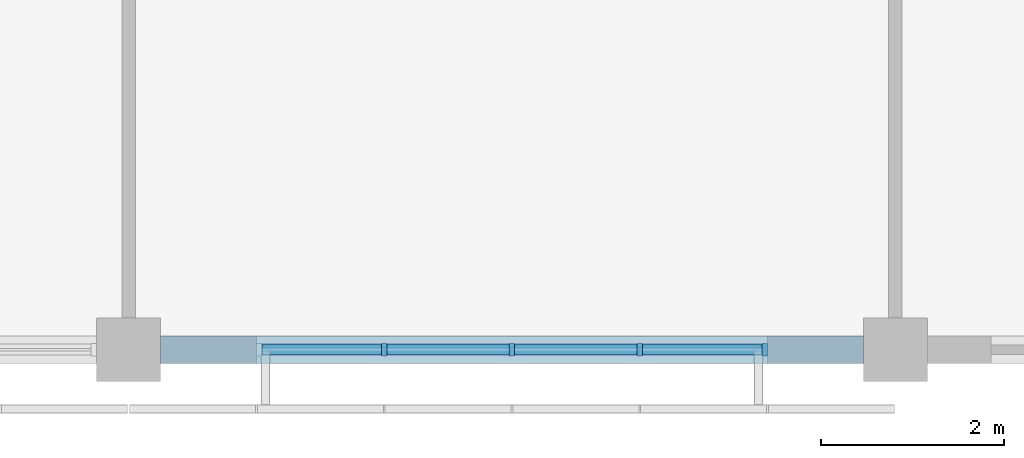
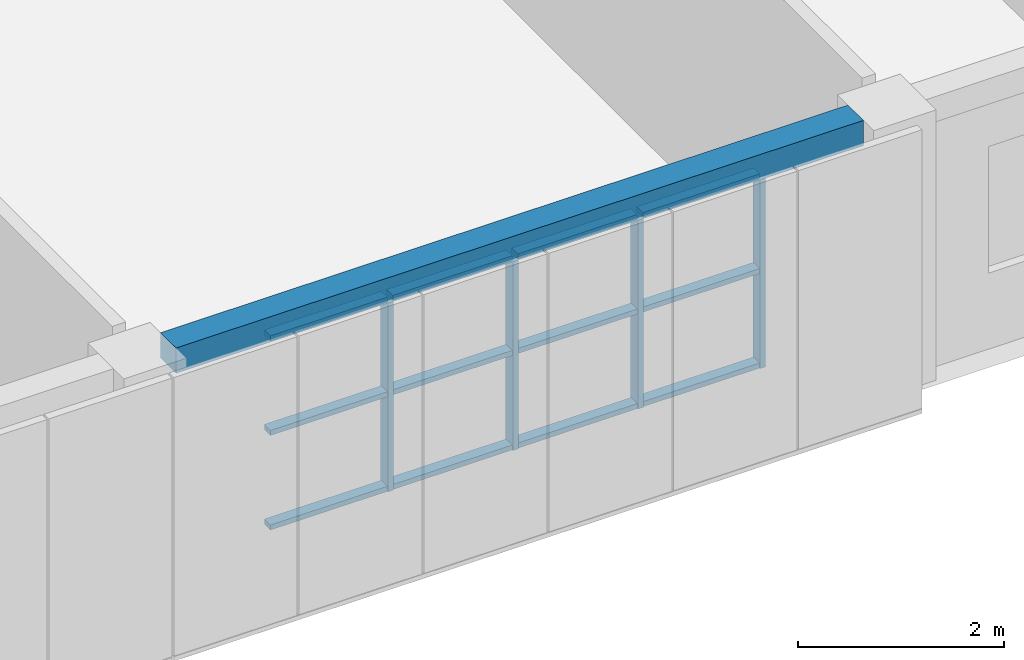
# One storey, part 18 of 48: 16 members, 1 beam, 1 element without a shape of its own.
"""IFC4 building model written with IfcOpenShell, lengths in metres."""

from ifc_helpers import new_model, si_unit, direction, frame, origin, origin_2d, place, context, subcontext, project, spatial, rectangle, extrude, material, material_profile, profile_set, type_object, element, aggregate, save


model = new_model("IFC4")

# Units and contexts
model_context = context("Model", 3, precision=1e-05, world=origin(), true_north=direction((0.0, 1.0)))
body_context = subcontext(model_context, "Body", "Model", "MODEL_VIEW")
ifc_project = project(units=[si_unit("LENGTHUNIT", "METRE"), si_unit("AREAUNIT", "SQUARE_METRE"), si_unit("VOLUMEUNIT", "CUBIC_METRE"), si_unit("PLANEANGLEUNIT", "RADIAN"), si_unit("MASSUNIT", "GRAM", prefix="KILO")], contexts=[model_context])

# Site, building, storey
site_placement = place(None, origin())
site = spatial("IfcSite", under=ifc_project, at=site_placement, CompositionType="ELEMENT")
building_placement = place(site_placement, origin())
building = spatial("IfcBuilding", under=site, at=building_placement, Name="Yavir Park General Hospital", CompositionType="ELEMENT")
storey_placement = place(building_placement, frame((0.0, 0.0, 26.10009765625)))
storey = spatial("IfcBuildingStorey", under=building, at=storey_placement, Name="L06", CompositionType="ELEMENT", Elevation=26.10009765625)

# Curtain wall, members
ifc_material_1 = material(Name="Aluminium curtain wall frame with insulated glazing", Category="aluminium")
curtain_wall_type = type_object("IfcCurtainWallType", Name="Day room pocket glazing, ward floors, 2300 high, 1400 module", PredefinedType="NOTDEFINED", material=ifc_material_1)
curtain_wall_placement = place(storey_placement, origin())
curtain_wall = element("IfcCurtainWall", 1, at=curtain_wall_placement, inside=storey, type_object=curtain_wall_type, Name="CW63 L06-009", PredefinedType="NOTDEFINED")
ifc_material_2 = material(Name="Aluminium", Category="aluminium")
ifc_material_profile_1 = material_profile(ifc_material_2, rectangle(XDim=0.139892578125, YDim=0.06005859375, at=origin_2d()), Name="AL 60x140")
ifc_profile_set_1 = profile_set([ifc_material_profile_1], Name="Aluminium")
member_type_1 = type_object("IfcMemberType", Name="Day room pocket glazing, ward floors, 2300 high mullion 60 x 140", PredefinedType="MULLION", material=ifc_profile_set_1)
member_1_placement = place(storey_placement, frame((154.0, 0.0, 0.599853515625), z_axis=(0.0, 0.0, 1.0), x_axis=(0.0, 1.0, 0.0)))
member_1 = element("IfcMember", 2, at=member_1_placement, type_object=member_type_1, Name="CW63 mullion 2", PredefinedType="MULLION", context=body_context, shape_type="SweptSolid", body=[
    extrude(rectangle(XDim=0.139892578125, YDim=0.06005859375, at=origin_2d()), origin(), (0.0, 0.0, 1.0), 2.300048828125),
])
member_2_placement = place(storey_placement, frame((155.39990234375, 0.0, 0.599853515625), z_axis=(0.0, 0.0, 1.0), x_axis=(0.0, 1.0, 0.0)))
member_2 = element("IfcMember", 3, at=member_2_placement, type_object=member_type_1, Name="CW63 mullion 3", PredefinedType="MULLION", context=body_context, shape_type="SweptSolid", body=[
    extrude(rectangle(XDim=0.139892578125, YDim=0.06005859375, at=origin_2d()), origin(), (0.0, 0.0, 1.0), 2.300048828125),
])
member_3_placement = place(storey_placement, frame((156.800048828125, 0.0, 0.599853515625), z_axis=(0.0, 0.0, 1.0), x_axis=(0.0, 1.0, 0.0)))
member_3 = element("IfcMember", 4, at=member_3_placement, type_object=member_type_1, Name="CW63 mullion 4", PredefinedType="MULLION", context=body_context, shape_type="SweptSolid", body=[
    extrude(rectangle(XDim=0.139892578125, YDim=0.06005859375, at=origin_2d()), origin(), (0.0, 0.0, 1.0), 2.300048828125),
])
member_4_placement = place(storey_placement, frame((158.169921875, 0.0, 0.599853515625), z_axis=(0.0, 0.0, 1.0), x_axis=(0.0, 1.0, 0.0)))
member_4 = element("IfcMember", 5, at=member_4_placement, type_object=member_type_1, Name="CW63 mullion 5", PredefinedType="MULLION", context=body_context, shape_type="SweptSolid", body=[
    extrude(rectangle(XDim=0.139892578125, YDim=0.06005859375, at=origin_2d()), origin(), (0.0, 0.0, 1.0), 2.300048828125),
])
ifc_material_3 = material(Name="Aluminium", Category="aluminium")
ifc_material_profile_2 = material_profile(ifc_material_3, rectangle(XDim=0.1201171875, YDim=0.06005859375, at=origin_2d()), Name="AL 120x60")
ifc_profile_set_2 = profile_set([ifc_material_profile_2], Name="Aluminium")
member_type_2 = type_object("IfcMemberType", Name="Day room pocket glazing, ward floors, 2300 high transom 60 x 120", PredefinedType="MULLION", material=ifc_profile_set_2)
member_5_placement = place(storey_placement, frame((152.659912109375, 0.0, 0.6298828125), z_axis=(1.0, 0.0, 0.0), x_axis=(0.0, 1.0, 0.0)))
member_5 = element("IfcMember", 6, at=member_5_placement, type_object=member_type_2, Name="CW63 transom 1.1", PredefinedType="MULLION", context=body_context, shape_type="SweptSolid", body=[
    extrude(rectangle(XDim=0.1201171875, YDim=0.06005859375, at=origin_2d()), origin(), (0.0, 0.0, 1.0), 1.31005859375),
])
member_6_placement = place(storey_placement, frame((152.659912109375, 0.0, 1.75), z_axis=(1.0, 0.0, 0.0), x_axis=(0.0, 1.0, 0.0)))
member_6 = element("IfcMember", 7, at=member_6_placement, type_object=member_type_2, Name="CW63 transom 1.2", PredefinedType="MULLION", context=body_context, shape_type="SweptSolid", body=[
    extrude(rectangle(XDim=0.1201171875, YDim=0.06005859375, at=origin_2d()), origin(), (0.0, 0.0, 1.0), 1.31005859375),
])
member_7_placement = place(storey_placement, frame((152.659912109375, 0.0, 2.869873046875), z_axis=(1.0, 0.0, 0.0), x_axis=(0.0, 1.0, 0.0)))
member_7 = element("IfcMember", 8, at=member_7_placement, type_object=member_type_2, Name="CW63 transom 1.3", PredefinedType="MULLION", context=body_context, shape_type="SweptSolid", body=[
    extrude(rectangle(XDim=0.1201171875, YDim=0.06005859375, at=origin_2d()), origin(), (0.0, 0.0, 1.0), 1.31005859375),
])
member_8_placement = place(storey_placement, frame((154.030029296875, 0.0, 0.6298828125), z_axis=(1.0, 0.0, 0.0), x_axis=(0.0, 1.0, 0.0)))
member_8 = element("IfcMember", 9, at=member_8_placement, type_object=member_type_2, Name="CW63 transom 2.1", PredefinedType="MULLION", context=body_context, shape_type="SweptSolid", body=[
    extrude(rectangle(XDim=0.1201171875, YDim=0.06005859375, at=origin_2d()), origin(), (0.0, 0.0, 1.0), 1.340087890625),
])
member_9_placement = place(storey_placement, frame((154.030029296875, 0.0, 1.75), z_axis=(1.0, 0.0, 0.0), x_axis=(0.0, 1.0, 0.0)))
member_9 = element("IfcMember", 10, at=member_9_placement, type_object=member_type_2, Name="CW63 transom 2.2", PredefinedType="MULLION", context=body_context, shape_type="SweptSolid", body=[
    extrude(rectangle(XDim=0.1201171875, YDim=0.06005859375, at=origin_2d()), origin(), (0.0, 0.0, 1.0), 1.340087890625),
])
member_10_placement = place(storey_placement, frame((154.030029296875, 0.0, 2.869873046875), z_axis=(1.0, 0.0, 0.0), x_axis=(0.0, 1.0, 0.0)))
member_10 = element("IfcMember", 11, at=member_10_placement, type_object=member_type_2, Name="CW63 transom 2.3", PredefinedType="MULLION", context=body_context, shape_type="SweptSolid", body=[
    extrude(rectangle(XDim=0.1201171875, YDim=0.06005859375, at=origin_2d()), origin(), (0.0, 0.0, 1.0), 1.340087890625),
])
member_11_placement = place(storey_placement, frame((155.429931640625, 0.0, 0.6298828125), z_axis=(1.0, 0.0, 0.0), x_axis=(0.0, 1.0, 0.0)))
member_11 = element("IfcMember", 12, at=member_11_placement, type_object=member_type_2, Name="CW63 transom 3.1", PredefinedType="MULLION", context=body_context, shape_type="SweptSolid", body=[
    extrude(rectangle(XDim=0.1201171875, YDim=0.06005859375, at=origin_2d()), origin(), (0.0, 0.0, 1.0), 1.340087890625),
])
member_12_placement = place(storey_placement, frame((155.429931640625, 0.0, 1.75), z_axis=(1.0, 0.0, 0.0), x_axis=(0.0, 1.0, 0.0)))
member_12 = element("IfcMember", 13, at=member_12_placement, type_object=member_type_2, Name="CW63 transom 3.2", PredefinedType="MULLION", context=body_context, shape_type="SweptSolid", body=[
    extrude(rectangle(XDim=0.1201171875, YDim=0.06005859375, at=origin_2d()), origin(), (0.0, 0.0, 1.0), 1.340087890625),
])
member_13_placement = place(storey_placement, frame((155.429931640625, 0.0, 2.869873046875), z_axis=(1.0, 0.0, 0.0), x_axis=(0.0, 1.0, 0.0)))
member_13 = element("IfcMember", 14, at=member_13_placement, type_object=member_type_2, Name="CW63 transom 3.3", PredefinedType="MULLION", context=body_context, shape_type="SweptSolid", body=[
    extrude(rectangle(XDim=0.1201171875, YDim=0.06005859375, at=origin_2d()), origin(), (0.0, 0.0, 1.0), 1.340087890625),
])
member_14_placement = place(storey_placement, frame((156.830078125, 0.0, 0.6298828125), z_axis=(1.0, 0.0, 0.0), x_axis=(0.0, 1.0, 0.0)))
member_14 = element("IfcMember", 15, at=member_14_placement, type_object=member_type_2, Name="CW63 transom 4.1", PredefinedType="MULLION", context=body_context, shape_type="SweptSolid", body=[
    extrude(rectangle(XDim=0.1201171875, YDim=0.06005859375, at=origin_2d()), origin(), (0.0, 0.0, 1.0), 1.309814453125),
])
member_15_placement = place(storey_placement, frame((156.830078125, 0.0, 1.75), z_axis=(1.0, 0.0, 0.0), x_axis=(0.0, 1.0, 0.0)))
member_15 = element("IfcMember", 16, at=member_15_placement, type_object=member_type_2, Name="CW63 transom 4.2", PredefinedType="MULLION", context=body_context, shape_type="SweptSolid", body=[
    extrude(rectangle(XDim=0.1201171875, YDim=0.06005859375, at=origin_2d()), origin(), (0.0, 0.0, 1.0), 1.309814453125),
])
member_16_placement = place(storey_placement, frame((156.830078125, 0.0, 2.869873046875), z_axis=(1.0, 0.0, 0.0), x_axis=(0.0, 1.0, 0.0)))
member_16 = element("IfcMember", 17, at=member_16_placement, type_object=member_type_2, Name="CW63 transom 4.3", PredefinedType="MULLION", context=body_context, shape_type="SweptSolid", body=[
    extrude(rectangle(XDim=0.1201171875, YDim=0.06005859375, at=origin_2d()), origin(), (0.0, 0.0, 1.0), 1.309814453125),
])
aggregate(curtain_wall, [member_1, member_2, member_3, member_4, member_5, member_6, member_7, member_8, member_9, member_10, member_11, member_12, member_13, member_14, member_15, member_16])

# Beam
ifc_material_4 = material(Name="Concrete C35/45", Category="concrete")
ifc_material_profile_3 = material_profile(ifc_material_4, rectangle(XDim=0.300048828125, YDim=0.300048828125, at=origin_2d()), Name="RC300x300")
ifc_profile_set_3 = profile_set([ifc_material_profile_3], Name="Concrete C35/45")
beam_type = type_object("IfcBeamType", Name="RC BEAM 300x300 edge beam", PredefinedType="BEAM", material=ifc_profile_set_3)
beam_placement = place(storey_placement, frame((151.550048828125, 0.0, 3.0498046875), z_axis=(1.0, 0.0, 0.0), x_axis=(0.0, 1.0, 0.0)))
element("IfcBeam", 18, at=beam_placement, inside=storey, type_object=beam_type, Name="B:EDGE:L06:009", PredefinedType="BEAM", context=body_context, shape_type="SweptSolid", body=[
    extrude(rectangle(XDim=0.300048828125, YDim=0.300048828125, at=origin_2d()), origin(), (0.0, 0.0, 1.0), 7.699951171875),
])

save(model, "model.ifc")
